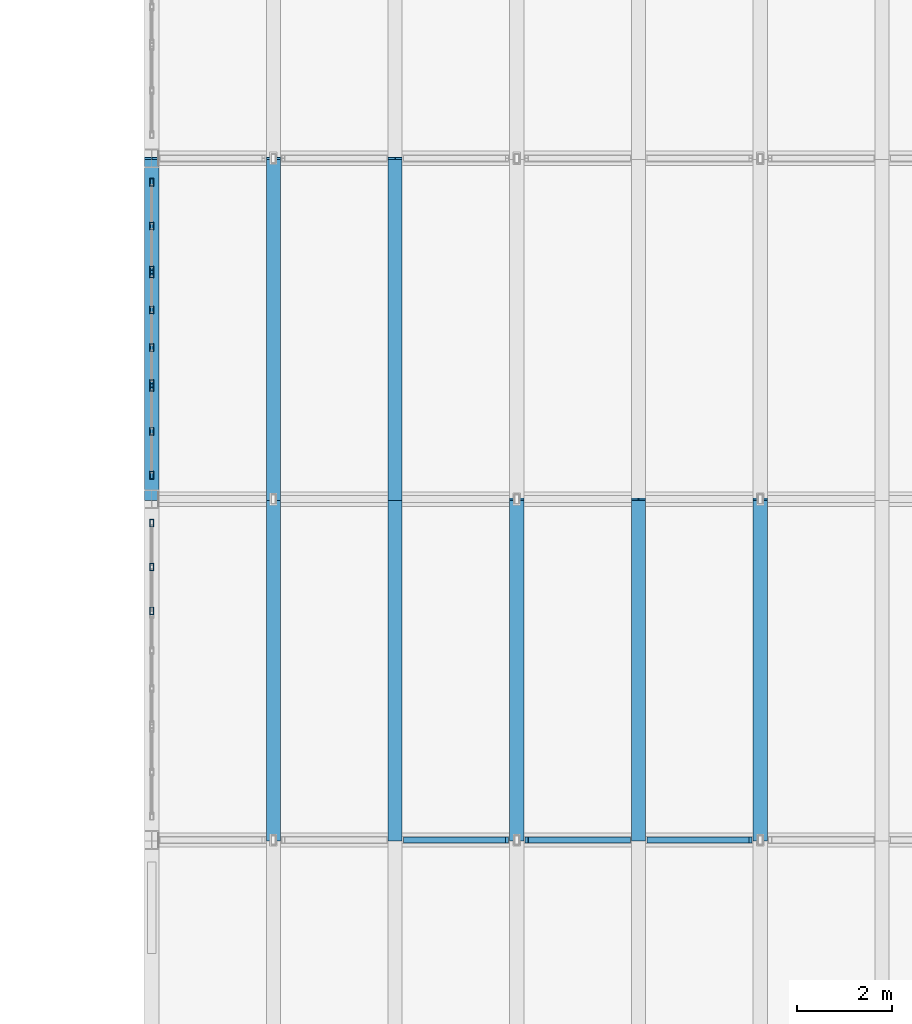
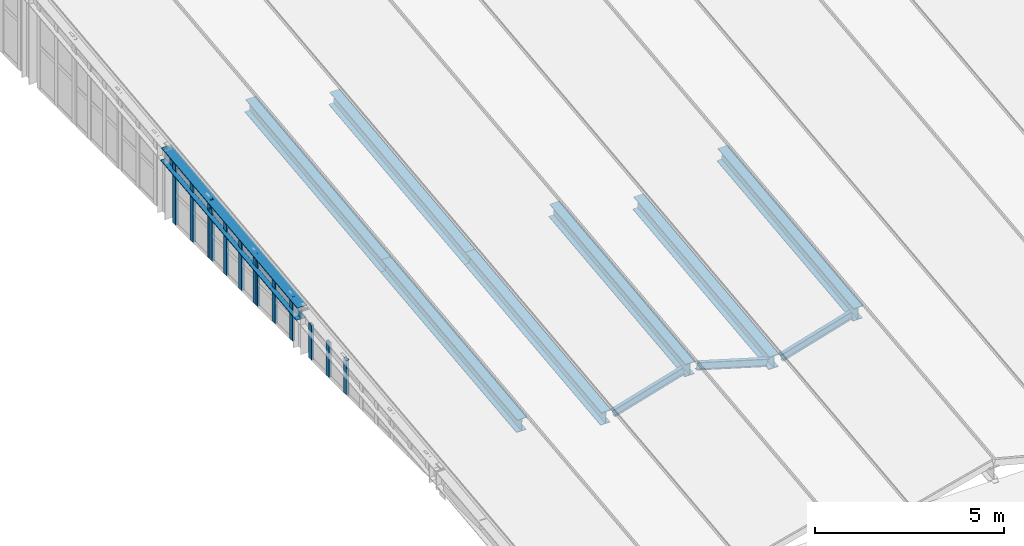
# One storey, part 8 of 48: 16 members, 8 beams, 4 elements without a shape of their own.
"""IFC4 building model written with IfcOpenShell, lengths in metres."""

from ifc_helpers import new_model, si_unit, direction, frame, origin, origin_2d, place, context, subcontext, project, spatial, hollow_rectangle, i_section, extrude, material, layer, layer_set, material_profile, profile_set, type_object, element, aggregate, save


model = new_model("IFC4")

# Units and contexts
model_context = context("Model", 3, precision=1e-05, world=origin(), true_north=direction((0.0, 1.0)))
body_context = subcontext(model_context, "Body", "Model", "MODEL_VIEW")
ifc_project = project(units=[si_unit("LENGTHUNIT", "METRE"), si_unit("AREAUNIT", "SQUARE_METRE"), si_unit("VOLUMEUNIT", "CUBIC_METRE"), si_unit("PLANEANGLEUNIT", "RADIAN"), si_unit("MASSUNIT", "GRAM", prefix="KILO"), si_unit("THERMODYNAMICTEMPERATUREUNIT", "KELVIN"), si_unit("POWERUNIT", "WATT")], contexts=[model_context])

# Site, building, storey
site_placement = place(None, origin())
site = spatial("IfcSite", under=ifc_project, at=site_placement, CompositionType="ELEMENT")
building_placement = place(site_placement, origin())
building = spatial("IfcBuilding", under=site, at=building_placement, Name="Kaldorven Railside Theatre", CompositionType="ELEMENT")
storey_placement = place(building_placement, frame((0.0, 0.0, 18.89990234375)))
storey = spatial("IfcBuildingStorey", under=building, at=storey_placement, Name="L04", CompositionType="ELEMENT", Elevation=18.89990234375)

# Beams
ifc_material_1 = material(Name="Steel S355", Category="steel")
ifc_material_profile_1 = material_profile(ifc_material_1, i_section(OverallWidth=0.300048828125, OverallDepth=0.449951171875, WebThickness=0.013916015625, FlangeThickness=0.02587890625, at=origin_2d()), Name="HEB 450")
ifc_profile_set_1 = profile_set([ifc_material_profile_1], Name="Steel S355")
beam_type = type_object("IfcBeamType", Name="BM-HEB450", PredefinedType="BEAM", material=ifc_profile_set_1)
for number, where, z_axis, x_axis, name in (
    (1, (87.199951171875, 55.199951171875, 1.184326171875), (0.0, 0.993575928723, 0.11316745938), (-1.0, 0.0, 0.0), "V1 Folded-Plate Valley Girder VB-008"),
    (2, (89.771484375, 48.0, 1.029296875), (0.0, 0.993575928723, 0.11316745938), (-1.0, 0.0, 0.0), "V1 Folded-Plate Ridge Girder RB-013"),
    (3, (89.771484375, 55.199951171875, 1.849365234375), (0.0, 0.993575928723, 0.11316745938), (-1.0, 0.0, 0.0), "V1 Folded-Plate Ridge Girder RB-014"),
    (4, (92.343017578125, 48.0, 0.364501953125), (0.0, 0.993579716392, 0.113134199846), (-1.0, 0.0, 0.0), "V1 Folded-Plate Valley Girder VB-019"),
    (5, (92.343017578125, 55.199951171875, 1.184326171875), (0.0, 0.993575928723, 0.11316745938), (-1.0, 0.0, 0.0), "V1 Folded-Plate Valley Girder VB-020"),
    (6, (94.914306640625, 48.0, 1.029296875), (0.0, 0.993575928723, 0.11316745938), (-1.0, 0.0, 0.0), "V1 Folded-Plate Ridge Girder RB-025"),
    (7, (97.485595703125, 48.0, 0.364501953125), (0.0, 0.993579716392, 0.113134199846), (-1.0, 0.0, 0.0), "V1 Folded-Plate Valley Girder VB-031"),
    (8, (100.05712890625, 48.0, 1.029296875), (0.0, 0.993575928723, 0.11316745938), (-1.0, 0.0, 0.0), "V1 Folded-Plate Ridge Girder RB-037"),
):
    element("IfcBeam", number, at=place(storey_placement, frame(where, z_axis=z_axis, x_axis=x_axis)), inside=storey, type_object=beam_type, Name=name, PredefinedType="BEAM", context=body_context, shape_type="SweptSolid", body=[
        extrude(i_section(OverallWidth=0.300048828125, OverallDepth=0.449951171875, WebThickness=0.013916015625, FlangeThickness=0.02587890625, at=origin_2d()), origin(), (0.0, 0.0, 1.0), 7.24658203125),
    ])

# Curtain wall, members
ifc_material_2 = material(Name="Low-E laminated solar-control glass", Category="glass")
ifc_layer_1 = layer(ifc_material_2, 0.159912109375, Name="Low-E laminated solar-control glass")
ifc_layer_set_1 = layer_set([ifc_layer_1], Name="Low-E laminated solar-control glass")
curtain_wall_type_1 = type_object("IfcCurtainWallType", Name="CWT-28", PredefinedType="USERDEFINED", material=ifc_layer_set_1)
curtain_wall_1_placement = place(storey_placement, origin())
curtain_wall_1 = element("IfcCurtainWall", 9, at=curtain_wall_1_placement, inside=storey, type_object=curtain_wall_type_1, Name="Main Theatre West Eave Clerestory CWG-004", ObjectType="FLUTED GLAZING", PredefinedType="USERDEFINED")
ifc_material_3 = material(Name="Anodised bronze aluminium", Category="aluminium")
ifc_material_profile_2 = material_profile(ifc_material_3, hollow_rectangle(XDim=0.080078125, YDim=0.159912109375, WallThickness=0.00634765625, at=origin_2d()), Name="RHS 160x80x6.3")
ifc_profile_set_2 = profile_set([ifc_material_profile_2], Name="Anodised bronze aluminium")
member_type_1 = type_object("IfcMemberType", Name="CWM-160", PredefinedType="MULLION", material=ifc_profile_set_2)
member_1_placement = place(storey_placement, frame((87.199951171875, 52.840087890625, 0.02001953125), z_axis=(0.0, 0.0, 1.0), x_axis=(-1.0, 0.0, 0.0)))
member_1 = element("IfcMember", 10, at=member_1_placement, type_object=member_type_1, Name="CWG-004 mullion 1", PredefinedType="MULLION", context=body_context, shape_type="SweptSolid", body=[
    extrude(hollow_rectangle(XDim=0.080078125, YDim=0.159912109375, WallThickness=0.00634765625, at=origin_2d()), origin(), (0.0, 0.0, 1.0), 1.1201171875),
])
member_2_placement = place(storey_placement, frame((87.199951171875, 53.767578125, 0.02001953125), z_axis=(0.0, 0.0, 1.0), x_axis=(-1.0, 0.0, 0.0)))
member_2 = element("IfcMember", 11, at=member_2_placement, type_object=member_type_1, Name="CWG-004 mullion 2", PredefinedType="MULLION", context=body_context, shape_type="SweptSolid", body=[
    extrude(hollow_rectangle(XDim=0.080078125, YDim=0.159912109375, WallThickness=0.00634765625, at=origin_2d()), origin(), (0.0, 0.0, 1.0), 1.1201171875),
])
member_3_placement = place(storey_placement, frame((87.199951171875, 54.695068359375, 0.02001953125), z_axis=(0.0, 0.0, 1.0), x_axis=(-1.0, 0.0, 0.0)))
member_3 = element("IfcMember", 12, at=member_3_placement, type_object=member_type_1, Name="CWG-004 mullion 3", PredefinedType="MULLION", context=body_context, shape_type="SweptSolid", body=[
    extrude(hollow_rectangle(XDim=0.080078125, YDim=0.159912109375, WallThickness=0.00634765625, at=origin_2d()), origin(), (0.0, 0.0, 1.0), 1.1201171875),
])
aggregate(curtain_wall_1, [member_1, member_2, member_3])

ifc_layer_2 = layer(ifc_material_2, 0.159912109375, Name="Low-E laminated solar-control glass")
ifc_layer_set_2 = layer_set([ifc_layer_2], Name="Low-E laminated solar-control glass")
curtain_wall_type_2 = type_object("IfcCurtainWallType", Name="CWT-29", PredefinedType="USERDEFINED", material=ifc_layer_set_2)
curtain_wall_2_placement = place(storey_placement, origin())
curtain_wall_2 = element("IfcCurtainWall", 13, at=curtain_wall_2_placement, inside=storey, type_object=curtain_wall_type_2, Name="Main Theatre West Eave Clerestory CWG-005", ObjectType="FLUTED GLAZING", PredefinedType="USERDEFINED")
member_4_placement = place(storey_placement, frame((87.199951171875, 55.705078125, 0.02001953125), z_axis=(0.0, 0.0, 1.0), x_axis=(-1.0, 0.0, 0.0)))
member_4 = element("IfcMember", 14, at=member_4_placement, type_object=member_type_1, Name="CWG-005 mullion 1", PredefinedType="MULLION", context=body_context, shape_type="SweptSolid", body=[
    extrude(hollow_rectangle(XDim=0.080078125, YDim=0.159912109375, WallThickness=0.00634765625, at=origin_2d()), origin(), (0.0, 0.0, 1.0), 1.440185546875),
])
member_5_placement = place(storey_placement, frame((87.199951171875, 56.632568359375, 0.02001953125), z_axis=(0.0, 0.0, 1.0), x_axis=(-1.0, 0.0, 0.0)))
member_5 = element("IfcMember", 15, at=member_5_placement, type_object=member_type_1, Name="CWG-005 mullion 2", PredefinedType="MULLION", context=body_context, shape_type="SweptSolid", body=[
    extrude(hollow_rectangle(XDim=0.080078125, YDim=0.159912109375, WallThickness=0.00634765625, at=origin_2d()), origin(), (0.0, 0.0, 1.0), 1.440185546875),
])
member_6_placement = place(storey_placement, frame((87.199951171875, 57.56005859375, 0.02001953125), z_axis=(0.0, 0.0, 1.0), x_axis=(-1.0, 0.0, 0.0)))
member_6 = element("IfcMember", 16, at=member_6_placement, type_object=member_type_1, Name="CWG-005 mullion 3", PredefinedType="MULLION", context=body_context, shape_type="SweptSolid", body=[
    extrude(hollow_rectangle(XDim=0.080078125, YDim=0.159912109375, WallThickness=0.00634765625, at=origin_2d()), origin(), (0.0, 0.0, 1.0), 1.440185546875),
])
aggregate(curtain_wall_2, [member_4, member_5, member_6])

ifc_layer_3 = layer(ifc_material_2, 0.159912109375, Name="Low-E laminated solar-control glass")
ifc_layer_set_3 = layer_set([ifc_layer_3], Name="Low-E laminated solar-control glass")
curtain_wall_type_3 = type_object("IfcCurtainWallType", Name="CWT-30", PredefinedType="USERDEFINED", material=ifc_layer_set_3)
curtain_wall_3_placement = place(storey_placement, origin())
curtain_wall_3 = element("IfcCurtainWall", 17, at=curtain_wall_3_placement, inside=storey, type_object=curtain_wall_type_3, Name="Main Theatre West Eave Clerestory CWG-006", ObjectType="FLUTED GLAZING", PredefinedType="USERDEFINED")
member_7_placement = place(storey_placement, frame((87.199951171875, 57.639892578125, 0.02001953125), z_axis=(0.0, 0.0, 1.0), x_axis=(-1.0, 0.0, 0.0)))
member_7 = element("IfcMember", 18, at=member_7_placement, type_object=member_type_1, Name="CWG-006 mullion 1", PredefinedType="MULLION", context=body_context, shape_type="SweptSolid", body=[
    extrude(hollow_rectangle(XDim=0.080078125, YDim=0.159912109375, WallThickness=0.00634765625, at=origin_2d()), origin(), (0.0, 0.0, 1.0), 1.66015625),
])
member_8_placement = place(storey_placement, frame((87.199951171875, 58.39990234375, 0.02001953125), z_axis=(0.0, 0.0, 1.0), x_axis=(-1.0, 0.0, 0.0)))
member_8 = element("IfcMember", 19, at=member_8_placement, type_object=member_type_1, Name="CWG-006 mullion 2", PredefinedType="MULLION", context=body_context, shape_type="SweptSolid", body=[
    extrude(hollow_rectangle(XDim=0.080078125, YDim=0.159912109375, WallThickness=0.00634765625, at=origin_2d()), origin(), (0.0, 0.0, 1.0), 1.66015625),
])
member_9_placement = place(storey_placement, frame((87.199951171875, 59.199951171875, 0.02001953125), z_axis=(0.0, 0.0, 1.0), x_axis=(-1.0, 0.0, 0.0)))
member_9 = element("IfcMember", 20, at=member_9_placement, type_object=member_type_1, Name="CWG-006 mullion 3", PredefinedType="MULLION", context=body_context, shape_type="SweptSolid", body=[
    extrude(hollow_rectangle(XDim=0.080078125, YDim=0.159912109375, WallThickness=0.00634765625, at=origin_2d()), origin(), (0.0, 0.0, 1.0), 1.66015625),
])
member_10_placement = place(storey_placement, frame((87.199951171875, 59.9599609375, 0.02001953125), z_axis=(0.0, 0.0, 1.0), x_axis=(-1.0, 0.0, 0.0)))
member_10 = element("IfcMember", 21, at=member_10_placement, type_object=member_type_1, Name="CWG-006 mullion 4", PredefinedType="MULLION", context=body_context, shape_type="SweptSolid", body=[
    extrude(hollow_rectangle(XDim=0.080078125, YDim=0.159912109375, WallThickness=0.00634765625, at=origin_2d()), origin(), (0.0, 0.0, 1.0), 1.66015625),
])
aggregate(curtain_wall_3, [member_7, member_8, member_9, member_10])

ifc_layer_4 = layer(ifc_material_2, 0.159912109375, Name="Low-E laminated solar-control glass")
ifc_layer_set_4 = layer_set([ifc_layer_4], Name="Low-E laminated solar-control glass")
curtain_wall_type_4 = type_object("IfcCurtainWallType", Name="CWT-31", PredefinedType="USERDEFINED", material=ifc_layer_set_4)
curtain_wall_4_placement = place(storey_placement, origin())
curtain_wall_4 = element("IfcCurtainWall", 22, at=curtain_wall_4_placement, inside=storey, type_object=curtain_wall_type_4, Name="Main Theatre West Eave Clerestory CWG-007", ObjectType="FLUTED GLAZING", PredefinedType="USERDEFINED")
member_11_placement = place(storey_placement, frame((87.199951171875, 60.0400390625, 0.02001953125), z_axis=(0.0, 0.0, 1.0), x_axis=(-1.0, 0.0, 0.0)))
member_11 = element("IfcMember", 23, at=member_11_placement, type_object=member_type_1, Name="CWG-007 mullion 1", PredefinedType="MULLION", context=body_context, shape_type="SweptSolid", body=[
    extrude(hollow_rectangle(XDim=0.080078125, YDim=0.159912109375, WallThickness=0.00634765625, at=origin_2d()), origin(), (0.0, 0.0, 1.0), 1.940185546875),
])
member_12_placement = place(storey_placement, frame((87.199951171875, 60.967529296875, 0.02001953125), z_axis=(0.0, 0.0, 1.0), x_axis=(-1.0, 0.0, 0.0)))
member_12 = element("IfcMember", 24, at=member_12_placement, type_object=member_type_1, Name="CWG-007 mullion 2", PredefinedType="MULLION", context=body_context, shape_type="SweptSolid", body=[
    extrude(hollow_rectangle(XDim=0.080078125, YDim=0.159912109375, WallThickness=0.00634765625, at=origin_2d()), origin(), (0.0, 0.0, 1.0), 1.940185546875),
])
member_13_placement = place(storey_placement, frame((87.199951171875, 61.89501953125, 0.02001953125), z_axis=(0.0, 0.0, 1.0), x_axis=(-1.0, 0.0, 0.0)))
member_13 = element("IfcMember", 25, at=member_13_placement, type_object=member_type_1, Name="CWG-007 mullion 3", PredefinedType="MULLION", context=body_context, shape_type="SweptSolid", body=[
    extrude(hollow_rectangle(XDim=0.080078125, YDim=0.159912109375, WallThickness=0.00634765625, at=origin_2d()), origin(), (0.0, 0.0, 1.0), 1.940185546875),
])
aggregate(curtain_wall_4, [member_11, member_12, member_13])

# Members
ifc_material_profile_3 = material_profile(ifc_material_1, i_section(OverallWidth=0.1201171875, OverallDepth=0.239990234375, WebThickness=0.006103515625, FlangeThickness=0.009765625, at=origin_2d()), Name="IPE 240")
ifc_profile_set_3 = profile_set([ifc_material_profile_3], Name="Steel S355")
member_type_2 = type_object("IfcMemberType", Name="MEM-IPE240", PredefinedType="PURLIN", material=ifc_profile_set_3)
for number, where, z_axis, x_axis, name in (
    (26, (92.55078125, 48.0, 0.438720703125), (0.95859084384, 0.0, 0.284786927556), (0.0, 1.0, 0.0), "V1 Folded-Roof Transverse Purlin PRL-005"),
    (27, (95.122314453125, 48.0, 1.0791015625), (0.95859084384, 0.0, -0.284786927556), (0.0, 1.0, 0.0), "V1 Folded-Roof Transverse Purlin PRL-007"),
    (28, (97.693603515625, 48.0, 0.438720703125), (0.95859084384, 0.0, 0.284786927556), (0.0, 1.0, 0.0), "V1 Folded-Roof Transverse Purlin PRL-009"),
):
    element("IfcMember", number, at=place(storey_placement, frame(where, z_axis=z_axis, x_axis=x_axis)), inside=storey, type_object=member_type_2, Name=name, PredefinedType="PURLIN", context=body_context, shape_type="SweptSolid", body=[
        extrude(i_section(OverallWidth=0.1201171875, OverallDepth=0.239990234375, WebThickness=0.006103515625, FlangeThickness=0.009765625, at=origin_2d()), origin(), (0.0, 0.0, 1.0), 2.24853515625),
    ])

save(model, "model.ifc")
